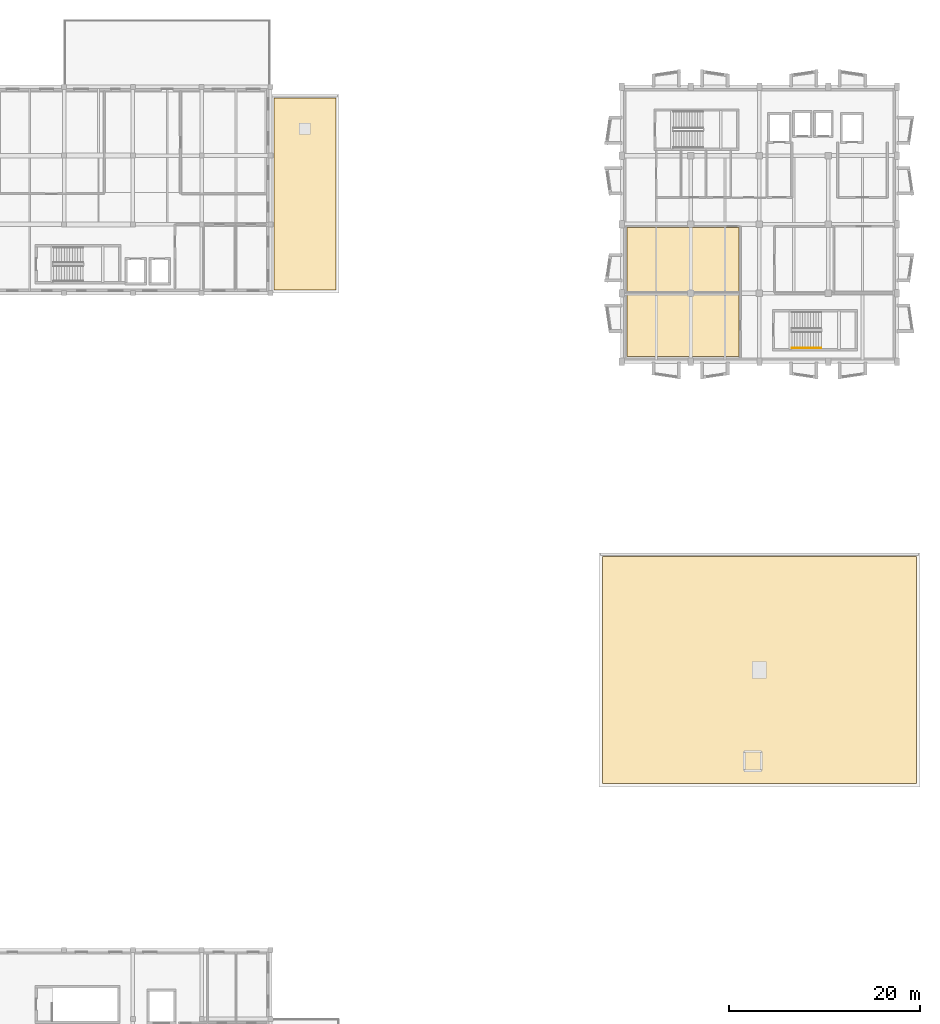
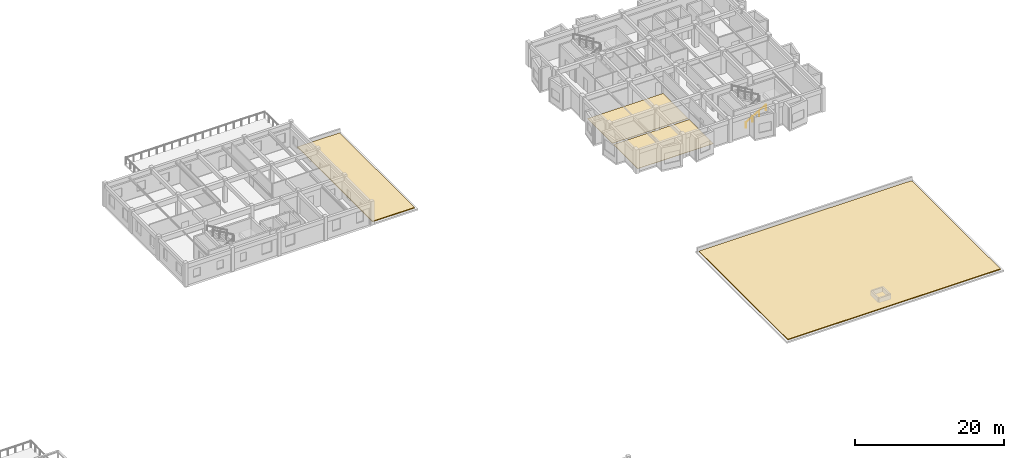
# One storey, part 19 of 20: 4 coverings, 1 railing.
"""IFC4 building model written with IfcOpenShell, lengths in metres."""

from ifc_helpers import new_model, si_unit, direction, frame, origin, origin_2d, place, context, subcontext, project, spatial, polyline, circle, outline, extrude, material, layer, layer_set, type_object, element, save


model = new_model("IFC4")

# Units and contexts
model_context = context("Model", 3, precision=1e-05, world=origin(), true_north=direction((0.0, 1.0)))
body_context = subcontext(model_context, "Body", "Model", "MODEL_VIEW")
ifc_project = project(units=[si_unit("LENGTHUNIT", "METRE"), si_unit("AREAUNIT", "SQUARE_METRE"), si_unit("VOLUMEUNIT", "CUBIC_METRE"), si_unit("PLANEANGLEUNIT", "RADIAN"), si_unit("MASSUNIT", "GRAM", prefix="KILO")], contexts=[model_context])

# Site, building, storey
site_placement = place(None, origin())
site = spatial("IfcSite", under=ifc_project, at=site_placement, CompositionType="ELEMENT")
building_placement = place(site_placement, origin())
building = spatial("IfcBuilding", under=site, at=building_placement, Name="Bramveld Media Centre", CompositionType="ELEMENT")
storey_placement = place(building_placement, frame((0.0, 0.0, 18.0)))
storey = spatial("IfcBuildingStorey", under=building, at=storey_placement, Name="L04", CompositionType="ELEMENT", Elevation=18.0)

# Coverings
ifc_material_1 = material(Name="Honed Belgian bluestone (petit granit) public concourse flooring", Category="masonry")
ifc_layer_1 = layer(ifc_material_1, 0.050048828125)
ifc_layer_set_1 = layer_set([ifc_layer_1], Name="Honed Belgian bluestone (petit granit) public concourse flooring")
covering_type_1 = type_object("IfcCoveringType", Name="COV-FLOOR-02", PredefinedType="FLOORING", material=ifc_layer_set_1)
covering_1_placement = place(storey_placement, origin())
element("IfcCovering", 1, at=covering_1_placement, inside=storey, type_object=covering_type_1, Name="Sound-Design & Game Audio Studio finish flooring", PredefinedType="FLOORING", context=body_context, shape_type="SweptSolid", body=[
    extrude(outline(polyline([(131.75, 90.550048828125), (143.449951171875, 90.550048828125), (143.449951171875, 97.25), (131.75, 97.25), (131.75, 90.550048828125)])), origin(), (0.0, 0.0, 1.0), 0.050048828125),
])
ifc_material_2 = material(Name="Anti-static acoustic linoleum editing & vault flooring")
ifc_layer_2 = layer(ifc_material_2, 0.0400390625)
ifc_layer_set_2 = layer_set([ifc_layer_2], Name="Anti-static acoustic linoleum editing & vault flooring")
covering_type_2 = type_object("IfcCoveringType", Name="COV-FLOOR-03", PredefinedType="FLOORING", material=ifc_layer_set_2)
covering_2_placement = place(storey_placement, origin())
element("IfcCovering", 2, at=covering_2_placement, inside=storey, type_object=covering_type_2, Name="Media Law, Ethics & Standards Council finish flooring", PredefinedType="FLOORING", context=body_context, shape_type="SweptSolid", body=[
    extrude(outline(polyline([(131.75, 83.75), (143.449951171875, 83.75), (143.449951171875, 90.25), (131.75, 90.25), (131.75, 83.75)])), origin(), (0.0, 0.0, 1.0), 0.0400390625),
])
ifc_material_3 = material(Name="Vegetated extensive green-roof substrate and EPDM membrane")
ifc_layer_3 = layer(ifc_material_3, 0.139892578125)
ifc_layer_set_3 = layer_set([ifc_layer_3], Name="Vegetated extensive green-roof substrate and EPDM membrane")
covering_type_3 = type_object("IfcCoveringType", Name="COV-ROOF-GREEN", PredefinedType="ROOFING", material=ifc_layer_set_3)
covering_3_placement = place(storey_placement, origin())
element("IfcCovering", 3, at=covering_3_placement, inside=storey, type_object=covering_type_3, Name="V4 L04 vegetated green roof covering", PredefinedType="ROOFING", context=body_context, shape_type="SweptSolid", body=[
    extrude(outline(polyline([(129.14990234375, 39.050048828125), (162.050048828125, 39.050048828125), (162.050048828125, 62.85009765625), (129.14990234375, 62.85009765625), (129.14990234375, 39.050048828125)])), origin(), (0.0, 0.0, 1.0), 0.139892578125),
])
covering_4_placement = place(storey_placement, origin())
element("IfcCovering", 4, at=covering_4_placement, inside=storey, type_object=covering_type_3, Name="V6 L04 vegetated green roof covering", PredefinedType="ROOFING", context=body_context, shape_type="SweptSolid", body=[
    extrude(outline(polyline([(94.75, 90.75), (101.25, 90.75), (101.25, 110.85009765625), (94.75, 110.85009765625), (94.75, 90.75)])), origin(), (0.0, 0.0, 1.0), 0.139892578125),
])

# Railing
ifc_material_4 = material(Name="Brushed stainless steel tubular stair handrail", Category="steel")
railing_type = type_object("IfcRailingType", Name="RAIL-STAIR-HAND-0920", PredefinedType="HANDRAIL", material=ifc_material_4)
railing_placement = place(storey_placement, frame((149.0, 84.64990234375, 0.16259765625)))
element("IfcRailing", 5, at=railing_placement, inside=storey, type_object=railing_type, Name="L04 ST-02 stair handrail 1", PredefinedType="HANDRAIL", context=body_context, shape_type="SweptSolid", body=[
    extrude(circle(Radius=0.02392578125, at=origin_2d()), frame((0.0, 0.0, 0.8759765625), z_axis=(0.864920483161, 0.0, 0.501908913857), x_axis=(0.0, 1.0, 0.0)), (0.0, 0.0, 1.0), 3.56103515625),
    extrude(circle(Radius=0.02099609375, at=origin_2d()), origin(), (0.0, 0.0, 1.0), 0.851806640625),
    extrude(circle(Radius=0.02099609375, at=origin_2d()), frame((1.026611328125, 0.0, 0.595703125)), (0.0, 0.0, 1.0), 0.851806640625),
    extrude(circle(Radius=0.02099609375, at=origin_2d()), frame((2.053466796875, 0.0, 1.191650390625)), (0.0, 0.0, 1.0), 0.851806640625),
    extrude(circle(Radius=0.02099609375, at=origin_2d()), frame((3.080078125, 0.0, 1.787353515625)), (0.0, 0.0, 1.0), 0.851806640625),
])

save(model, "model.ifc")
